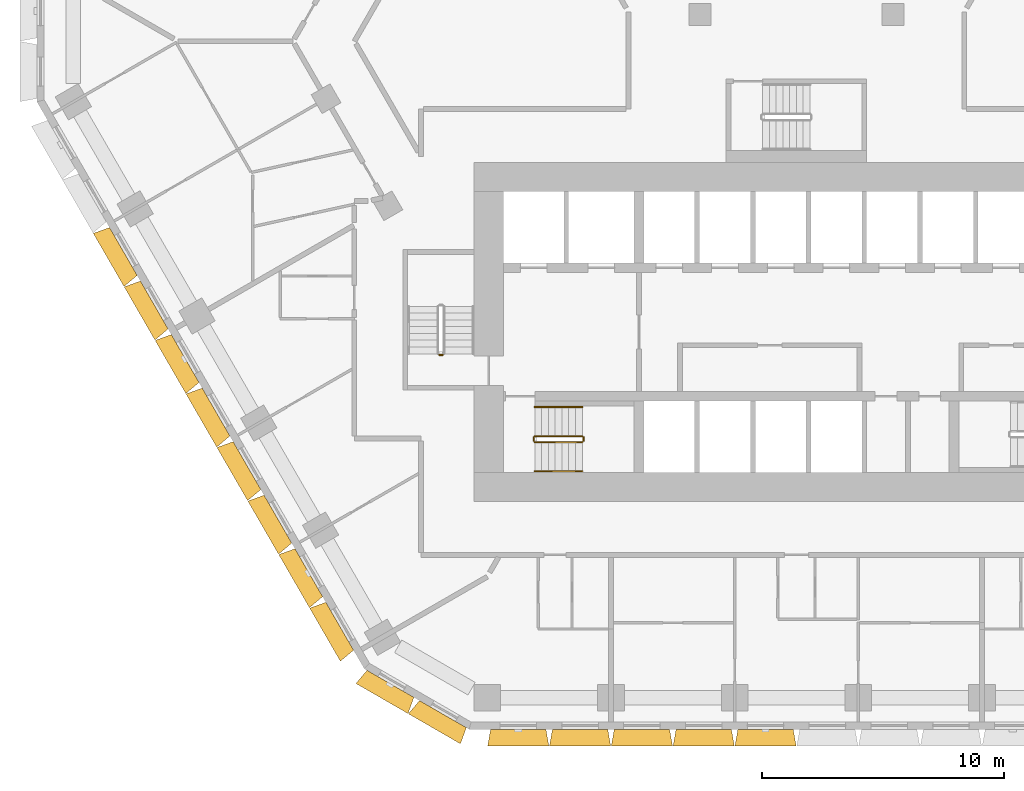
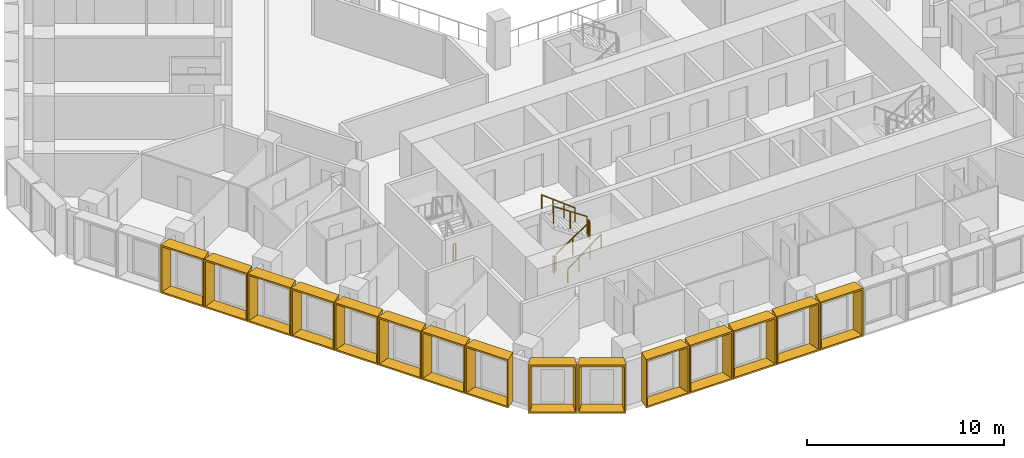
# One storey, part 18 of 21: 15 shading devices, 7 railings.
"""IFC4 building model written with IfcOpenShell, lengths in metres."""

from ifc_helpers import new_model, entity, si_unit, direction, frame, origin, origin_2d, place, context, subcontext, project, spatial, rectangle, extrude, source, transform, mapped, material, type_object, type_shapes, element, save


model = new_model("IFC4")

# Units and contexts
model_context = context("Model", 3, precision=1e-05, world=origin(), true_north=direction((0.0, 1.0)))
body_context = subcontext(model_context, "Body", "Model", "MODEL_VIEW")
ifc_project = project(units=[si_unit("LENGTHUNIT", "METRE"), si_unit("AREAUNIT", "SQUARE_METRE"), si_unit("VOLUMEUNIT", "CUBIC_METRE"), si_unit("PLANEANGLEUNIT", "RADIAN"), si_unit("MASSUNIT", "GRAM", prefix="KILO")], contexts=[model_context])

# Site, building, storey
site_placement = place(None, origin())
site = spatial("IfcSite", under=ifc_project, at=site_placement, CompositionType="ELEMENT")
building_placement = place(site_placement, origin())
building = spatial("IfcBuilding", under=site, at=building_placement, Name="Beryl Residences", CompositionType="ELEMENT")
storey_placement = place(building_placement, frame((0.0, 0.0, 47.39990234375)))
storey = spatial("IfcBuildingStorey", under=building, at=storey_placement, Name="L14", CompositionType="ELEMENT", Elevation=47.39990234375)

# Shading devices
ifc_material_1 = material(Name="Aluminium pale anodised", Category="aluminium")
shading_device_type_1 = type_object("IfcShadingDeviceType", Name="FR250-70A OUTER SKIN frame 700 mm deep, splay 10/10 deg, 2500 x 3000 mm cell", PredefinedType="USERDEFINED", material=ifc_material_1)
cartesian_point_1 = entity("IfcCartesianPoint", [-1.116455078125, 0.0])
cartesian_point_2 = entity("IfcCartesianPoint", [-1.03515625, 0.10009765625])
cartesian_point_3 = entity("IfcCartesianPoint", [-1.239990234375, 0.0])
cartesian_point_4 = entity("IfcCartesianPoint", [-1.15869140625, 0.10009765625])
shared_shape_1 = source(origin(), body_context, "Body", "SweptSolid", [
    entity("IfcExtrudedAreaSolidTapered", entity("IfcArbitraryProfileDefWithVoids", "AREA", None, entity("IfcPolyline", [cartesian_point_1, entity("IfcCartesianPoint", [1.116455078125, 0.0]), entity("IfcCartesianPoint", [1.116455078125, 3.0]), entity("IfcCartesianPoint", [-1.116455078125, 3.0]), cartesian_point_1]), [entity("IfcPolyline", [cartesian_point_2, entity("IfcCartesianPoint", [1.03515625, 0.10009765625]), entity("IfcCartesianPoint", [1.03515625, 2.89990234375]), entity("IfcCartesianPoint", [-1.03515625, 2.89990234375]), cartesian_point_2])]), entity("IfcAxis2Placement3D", entity("IfcCartesianPoint", [0.0, 0.0, 0.0]), entity("IfcDirection", [0.0, 1.0, 0.0]), entity("IfcDirection", [-1.0, 0.0, 0.0])), entity("IfcDirection", [0.0, 0.0, 1.0]), 0.699951171875, entity("IfcArbitraryProfileDefWithVoids", "AREA", None, entity("IfcPolyline", [cartesian_point_3, entity("IfcCartesianPoint", [1.239990234375, 0.0]), entity("IfcCartesianPoint", [1.239990234375, 3.0]), entity("IfcCartesianPoint", [-1.239990234375, 3.0]), cartesian_point_3]), [entity("IfcPolyline", [cartesian_point_4, entity("IfcCartesianPoint", [1.15869140625, 0.10009765625]), entity("IfcCartesianPoint", [1.15869140625, 2.89990234375]), entity("IfcCartesianPoint", [-1.15869140625, 2.89990234375]), cartesian_point_4])])),
])
type_shapes(shading_device_type_1, [shared_shape_1])
for number, where, z_axis, x_axis, name in (
    (1, (-16.758056640625, -26.52490234375, 0.0), (0.0, 0.0, 1.0), (-0.866025403784, 0.5, 0.0), "FR250-70A frame L14 SW-S 1"),
    (2, (-14.593017578125, -27.77490234375, 0.0), (0.0, 0.0, 1.0), (-0.866025403784, 0.5, 0.0), "FR250-70A frame L14 SW-S 2"),
):
    element("IfcShadingDevice", number, at=place(storey_placement, frame(where, z_axis=z_axis, x_axis=x_axis)), inside=storey, type_object=shading_device_type_1, Name=name, ObjectType="OUTER SKIN", PredefinedType="USERDEFINED", context=body_context, shape_type="MappedRepresentation", body=[
        mapped(shared_shape_1, transform((0.0, 0.0, 0.0))),
    ])
ifc_material_2 = material(Name="Aluminium pale anodised", Category="aluminium")
shading_device_type_2 = type_object("IfcShadingDeviceType", Name="FR255-70A OUTER SKIN frame 700 mm deep, splay 10/10 deg, 2550 x 3000 mm cell", PredefinedType="USERDEFINED", material=ifc_material_2)
cartesian_point_5 = entity("IfcCartesianPoint", [-1.1416015625, 0.0])
cartesian_point_6 = entity("IfcCartesianPoint", [-1.060302734375, 0.10009765625])
cartesian_point_7 = entity("IfcCartesianPoint", [-1.264892578125, 0.0])
cartesian_point_8 = entity("IfcCartesianPoint", [-1.18359375, 0.10009765625])
shared_shape_2 = source(origin(), body_context, "Body", "SweptSolid", [
    entity("IfcExtrudedAreaSolidTapered", entity("IfcArbitraryProfileDefWithVoids", "AREA", None, entity("IfcPolyline", [cartesian_point_5, entity("IfcCartesianPoint", [1.1416015625, 0.0]), entity("IfcCartesianPoint", [1.1416015625, 3.0]), entity("IfcCartesianPoint", [-1.1416015625, 3.0]), cartesian_point_5]), [entity("IfcPolyline", [cartesian_point_6, entity("IfcCartesianPoint", [1.060302734375, 0.10009765625]), entity("IfcCartesianPoint", [1.060302734375, 2.89990234375]), entity("IfcCartesianPoint", [-1.060302734375, 2.89990234375]), cartesian_point_6])]), entity("IfcAxis2Placement3D", entity("IfcCartesianPoint", [0.0, 0.0, 0.0]), entity("IfcDirection", [0.0, 1.0, 0.0]), entity("IfcDirection", [-1.0, 0.0, 0.0])), entity("IfcDirection", [0.0, 0.0, 1.0]), 0.699951171875, entity("IfcArbitraryProfileDefWithVoids", "AREA", None, entity("IfcPolyline", [cartesian_point_7, entity("IfcCartesianPoint", [1.264892578125, 0.0]), entity("IfcCartesianPoint", [1.264892578125, 3.0]), entity("IfcCartesianPoint", [-1.264892578125, 3.0]), cartesian_point_7]), [entity("IfcPolyline", [cartesian_point_8, entity("IfcCartesianPoint", [1.18359375, 0.10009765625]), entity("IfcCartesianPoint", [1.18359375, 2.89990234375]), entity("IfcCartesianPoint", [-1.18359375, 2.89990234375]), cartesian_point_8])])),
])
type_shapes(shading_device_type_2, [shared_shape_2])
for number, where, z_axis, x_axis, name in (
    (3, (-27.783935546875, -8.676025390625, 0.0), (0.0, 0.0, 1.0), (-0.5, 0.866025403784, 0.0), "FR255-70A frame L14 SW 3"),
    (4, (-26.508056640625, -10.885986328125, 0.0), (0.0, 0.0, 1.0), (-0.5, 0.866025403784, 0.0), "FR255-70A frame L14 SW 4"),
    (5, (-25.23193359375, -13.095947265625, 0.0), (0.0, 0.0, 1.0), (-0.5, 0.866025403784, 0.0), "FR255-70A frame L14 SW 5"),
    (6, (-23.95703125, -15.305908203125, 0.0), (0.0, 0.0, 1.0), (-0.5, 0.866025403784, 0.0), "FR255-70A frame L14 SW 6"),
    (7, (-22.680908203125, -17.51611328125, 0.0), (0.0, 0.0, 1.0), (-0.5, 0.866025403784, 0.0), "FR255-70A frame L14 SW 7"),
    (8, (-21.405029296875, -19.72607421875, 0.0), (0.0, 0.0, 1.0), (-0.5, 0.866025403784, 0.0), "FR255-70A frame L14 SW 8"),
    (9, (-20.12890625, -21.93603515625, 0.0), (0.0, 0.0, 1.0), (-0.5, 0.866025403784, 0.0), "FR255-70A frame L14 SW 9"),
    (10, (-18.85302734375, -24.14599609375, 0.0), (0.0, 0.0, 1.0), (-0.5, 0.866025403784, 0.0), "FR255-70A frame L14 SW 10"),
    (11, (-11.48291015625, -28.39990234375, 0.0), (0.0, 0.0, 1.0), (-1.0, 0.0, 0.0), "FR255-70A frame L14 S 1"),
    (12, (-8.930908203125, -28.39990234375, 0.0), (0.0, 0.0, 1.0), (-1.0, 0.0, 0.0), "FR255-70A frame L14 S 2"),
    (13, (-6.37890625, -28.39990234375, 0.0), (0.0, 0.0, 1.0), (-1.0, 0.0, 0.0), "FR255-70A frame L14 S 3"),
    (14, (-3.826904296875, -28.39990234375, 0.0), (0.0, 0.0, 1.0), (-1.0, 0.0, 0.0), "FR255-70A frame L14 S 4"),
    (15, (-1.27490234375, -28.39990234375, 0.0), (0.0, 0.0, 1.0), (-1.0, 0.0, 0.0), "FR255-70A frame L14 S 5"),
):
    element("IfcShadingDevice", number, at=place(storey_placement, frame(where, z_axis=z_axis, x_axis=x_axis)), inside=storey, type_object=shading_device_type_2, Name=name, ObjectType="OUTER SKIN", PredefinedType="USERDEFINED", context=body_context, shape_type="MappedRepresentation", body=[
        mapped(shared_shape_2, transform((0.0, 0.0, 0.0))),
    ])

# Railings
ifc_material_3 = material(Name="Stainless steel balustrade with glass infill", Category="steel")
railing_type_1 = type_object("IfcRailingType", Name="SG1 stair guard 1100 mm", PredefinedType="GUARDRAIL", material=ifc_material_3)
railing_1_placement = place(storey_placement, frame((-10.800048828125, -16.550048828125, 0.1875)))
element("IfcRailing", 16, at=railing_1_placement, inside=storey, type_object=railing_type_1, Name="L14 ST-1 stair guard 1", PredefinedType="GUARDRAIL", context=body_context, shape_type="SweptSolid", body=[
    extrude(rectangle(XDim=0.048095703125, YDim=0.048095703125, at=origin_2d()), frame((0.0, 0.0, 1.076171875), z_axis=(0.830902050051, 0.0, 0.556418712142), x_axis=(0.0, 1.0, 0.0)), (0.0, 0.0, 1.0), 2.35888671875),
    extrude(rectangle(XDim=0.0419921875, YDim=0.0419921875, at=origin_2d()), origin(), (0.0, 0.0, 1.0), 1.052001953125),
    extrude(rectangle(XDim=0.0419921875, YDim=0.0419921875, at=origin_2d()), frame((0.97998046875, 0.0, 0.65625)), (0.0, 0.0, 1.0), 1.052001953125),
    extrude(rectangle(XDim=0.0419921875, YDim=0.0419921875, at=origin_2d()), frame((1.9599609375, 0.0, 1.3125)), (0.0, 0.0, 1.0), 1.052001953125),
])
railing_2_placement = place(storey_placement, frame((-8.7900390625, -16.5, 1.5)))
element("IfcRailing", 17, at=railing_2_placement, inside=storey, type_object=railing_type_1, Name="L14 ST-1 stair guard 2", PredefinedType="GUARDRAIL", context=body_context, shape_type="SweptSolid", body=[
    extrude(rectangle(XDim=0.048095703125, YDim=0.048095703125, at=origin_2d()), frame((0.0, 0.0, 1.076171875), z_axis=(0.0, 1.0, 0.0), x_axis=(-1.0, 0.0, 0.0)), (0.0, 0.0, 1.0), 0.14990234375),
    extrude(rectangle(XDim=0.0419921875, YDim=0.0419921875, at=origin_2d()), origin(), (0.0, 0.0, 1.0), 1.052001953125),
    extrude(rectangle(XDim=0.0419921875, YDim=0.0419921875, at=origin_2d()), frame((0.0, 0.14990234375, 0.0)), (0.0, 0.0, 1.0), 1.052001953125),
])
railing_3_placement = place(storey_placement, frame((-8.840087890625, -16.300048828125, 1.6875)))
element("IfcRailing", 18, at=railing_3_placement, inside=storey, type_object=railing_type_1, Name="L14 ST-1 stair guard 3", PredefinedType="GUARDRAIL", context=body_context, shape_type="SweptSolid", body=[
    extrude(rectangle(XDim=0.048095703125, YDim=0.048095703125, at=origin_2d()), frame((0.0, 0.0, 1.076171875), z_axis=(-0.830902050051, 0.0, 0.556418712142), x_axis=(0.0, -1.0, 0.0)), (0.0, 0.0, 1.0), 2.35888671875),
    extrude(rectangle(XDim=0.0419921875, YDim=0.0419921875, at=origin_2d()), origin(), (0.0, 0.0, 1.0), 1.052001953125),
    extrude(rectangle(XDim=0.0419921875, YDim=0.0419921875, at=origin_2d()), frame((-0.97998046875, 0.0, 0.65625)), (0.0, 0.0, 1.0), 1.052001953125),
    extrude(rectangle(XDim=0.0419921875, YDim=0.0419921875, at=origin_2d()), frame((-1.9599609375, 0.0, 1.3125)), (0.0, 0.0, 1.0), 1.052001953125),
])
railing_4_placement = place(storey_placement, frame((-10.85009765625, -16.5, 0.0)))
element("IfcRailing", 19, at=railing_4_placement, inside=storey, type_object=railing_type_1, Name="L14 ST-1 stair guard 4", PredefinedType="GUARDRAIL", context=body_context, shape_type="SweptSolid", body=[
    extrude(rectangle(XDim=0.048095703125, YDim=0.048095703125, at=origin_2d()), frame((0.0, 0.0, 1.076171875), z_axis=(0.0, 1.0, 0.0), x_axis=(-1.0, 0.0, 0.0)), (0.0, 0.0, 1.0), 0.14990234375),
    extrude(rectangle(XDim=0.0419921875, YDim=0.0419921875, at=origin_2d()), origin(), (0.0, 0.0, 1.0), 1.052001953125),
    extrude(rectangle(XDim=0.0419921875, YDim=0.0419921875, at=origin_2d()), frame((0.0, 0.14990234375, 0.0)), (0.0, 0.0, 1.0), 1.052001953125),
])
railing_5_placement = place(storey_placement, frame((-14.60009765625, -12.949951171875, 0.0)))
element("IfcRailing", 20, at=railing_5_placement, inside=storey, type_object=railing_type_1, Name="L14 ST-2 stair guard 4", PredefinedType="GUARDRAIL", context=body_context, shape_type="SweptSolid", body=[
    extrude(rectangle(XDim=0.048095703125, YDim=0.048095703125, at=origin_2d()), frame((0.0, 0.0, 1.076171875), z_axis=(-1.0, 0.0, 0.0), x_axis=(0.0, -1.0, 0.0)), (0.0, 0.0, 1.0), 0.14990234375),
    extrude(rectangle(XDim=0.0419921875, YDim=0.0419921875, at=origin_2d()), origin(), (0.0, 0.0, 1.0), 1.052001953125),
    extrude(rectangle(XDim=0.0419921875, YDim=0.0419921875, at=origin_2d()), frame((-0.14990234375, 0.0, 0.0)), (0.0, 0.0, 1.0), 1.052001953125),
])
ifc_material_4 = material(Name="Stainless steel handrail", Category="steel")
railing_type_2 = type_object("IfcRailingType", Name="SRL1 stair handrail 900 mm", PredefinedType="HANDRAIL", material=ifc_material_4)
railing_6_placement = place(storey_placement, frame((-10.800048828125, -17.75, 0.1875)))
element("IfcRailing", 21, at=railing_6_placement, inside=storey, type_object=railing_type_2, Name="L14 ST-1 stair handrail 1", PredefinedType="HANDRAIL", context=body_context, shape_type="SweptSolid", body=[
    extrude(rectangle(XDim=0.048095703125, YDim=0.048095703125, at=origin_2d()), frame((0.0, 0.0, 0.8759765625), z_axis=(0.794121922505, 0.0, 0.607758481798), x_axis=(0.0, 1.0, 0.0)), (0.0, 0.0, 1.0), 2.468017578125),
    extrude(rectangle(XDim=0.0419921875, YDim=0.0419921875, at=origin_2d()), origin(), (0.0, 0.0, 1.0), 0.851806640625),
    extrude(rectangle(XDim=0.0419921875, YDim=0.0419921875, at=origin_2d()), frame((0.6533203125, 0.0, 0.5)), (0.0, 0.0, 1.0), 0.851806640625),
    extrude(rectangle(XDim=0.0419921875, YDim=0.0419921875, at=origin_2d()), frame((1.306640625, 0.0, 1.0)), (0.0, 0.0, 1.0), 0.851806640625),
    extrude(rectangle(XDim=0.0419921875, YDim=0.0419921875, at=origin_2d()), frame((1.9599609375, 0.0, 1.5)), (0.0, 0.0, 1.0), 0.851806640625),
])
railing_7_placement = place(storey_placement, frame((-8.840087890625, -15.10009765625, 1.6875)))
element("IfcRailing", 22, at=railing_7_placement, inside=storey, type_object=railing_type_2, Name="L14 ST-1 stair handrail 2", PredefinedType="HANDRAIL", context=body_context, shape_type="SweptSolid", body=[
    extrude(rectangle(XDim=0.048095703125, YDim=0.048095703125, at=origin_2d()), frame((0.0, 0.0, 0.8759765625), z_axis=(-0.794121922505, 0.0, 0.607758481798), x_axis=(0.0, -1.0, 0.0)), (0.0, 0.0, 1.0), 2.468017578125),
    extrude(rectangle(XDim=0.0419921875, YDim=0.0419921875, at=origin_2d()), origin(), (0.0, 0.0, 1.0), 0.851806640625),
    extrude(rectangle(XDim=0.0419921875, YDim=0.0419921875, at=origin_2d()), frame((-0.6533203125, 0.0, 0.5)), (0.0, 0.0, 1.0), 0.851806640625),
    extrude(rectangle(XDim=0.0419921875, YDim=0.0419921875, at=origin_2d()), frame((-1.306640625, 0.0, 1.0)), (0.0, 0.0, 1.0), 0.851806640625),
    extrude(rectangle(XDim=0.0419921875, YDim=0.0419921875, at=origin_2d()), frame((-1.9599609375, 0.0, 1.5)), (0.0, 0.0, 1.0), 0.851806640625),
])

save(model, "model.ifc")
